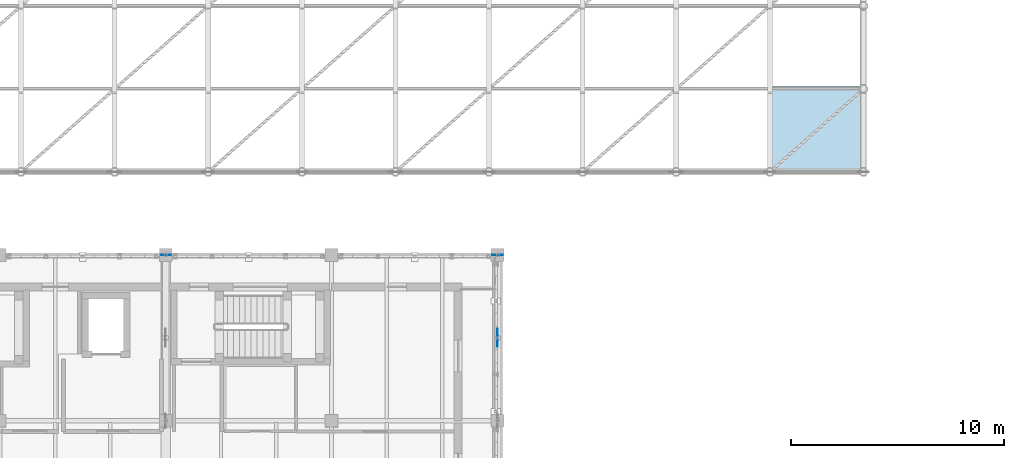
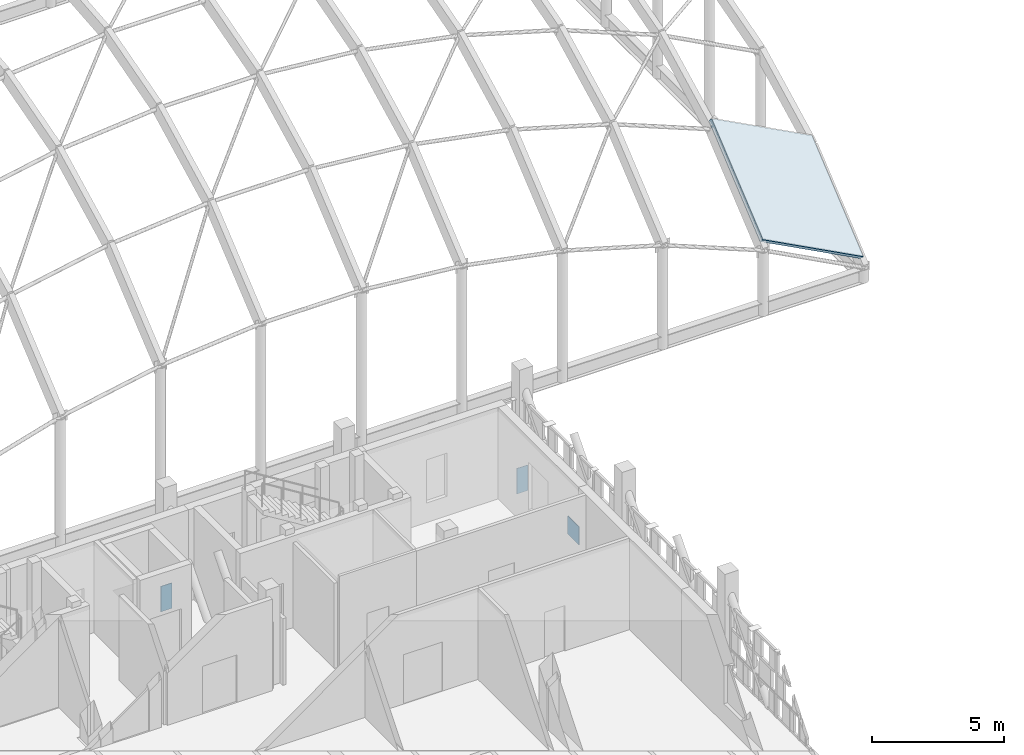
# One storey, part 72 of 119: 3 plates, 1 slab.
"""IFC4 building model written with IfcOpenShell, lengths in metres."""

from ifc_helpers import new_model, si_unit, direction, frame, origin, origin_2d, place, context, subcontext, project, spatial, polyline, rectangle, outline, extrude, material, layer, layer_set, type_object, element, save


model = new_model("IFC4")

# Units and contexts
model_context = context("Model", 3, precision=1e-05, world=origin(), true_north=direction((0.0, 1.0)))
body_context = subcontext(model_context, "Body", "Model", "MODEL_VIEW")
ifc_project = project(units=[si_unit("LENGTHUNIT", "METRE"), si_unit("AREAUNIT", "SQUARE_METRE"), si_unit("VOLUMEUNIT", "CUBIC_METRE"), si_unit("PLANEANGLEUNIT", "RADIAN"), si_unit("MASSUNIT", "GRAM", prefix="KILO")], contexts=[model_context])

# Site, building, storey
site_placement = place(None, origin())
site = spatial("IfcSite", under=ifc_project, at=site_placement, CompositionType="ELEMENT")
building_placement = place(site_placement, origin())
building = spatial("IfcBuilding", under=site, at=building_placement, Name="Celorna Specialist Clinic", CompositionType="ELEMENT")
storey_placement = place(building_placement, frame((0.0, 0.0, 9.60009765625)))
storey = spatial("IfcBuildingStorey", under=building, at=storey_placement, Name="L02", CompositionType="ELEMENT", Elevation=9.60009765625)

# Plates
ifc_material_1 = material(Name="Steel S355", Category="steel")
ifc_layer_1 = layer(ifc_material_1, 0.02490234375, Name="Steel S355")
ifc_layer_set_1 = layer_set([ifc_layer_1], Name="Steel S355")
plate_type_1 = type_object("IfcPlateType", Name="EP-01", PredefinedType="SHEET", material=ifc_layer_set_1)
for number, where, z_axis, x_axis, name in (
    (1, (70.199951171875, 42.89990234375, -1.42529296875), (0.0, 0.0, 1.0), (1.0, 0.0, 0.0), "Truss chord end cap plate EP-01 #28"),
    (2, (85.800048828125, 42.89990234375, -1.42529296875), (0.0, 0.0, 1.0), (1.0, 0.0, 0.0), "Truss chord end cap plate EP-01 #50"),
):
    element("IfcPlate", number, at=place(storey_placement, frame(where, z_axis=z_axis, x_axis=x_axis)), inside=storey, type_object=plate_type_1, Name=name, PredefinedType="SHEET", context=body_context, shape_type="SweptSolid", body=[
        extrude(rectangle(XDim=0.47998046875, YDim=0.02490234375, at=origin_2d()), origin(), (0.0, 0.0, 1.0), 1.179931640625),
    ])
ifc_layer_2 = layer(ifc_material_1, 0.028076171875, Name="Steel S355")
ifc_layer_set_2 = layer_set([ifc_layer_2], Name="Steel S355")
plate_type_2 = type_object("IfcPlateType", Name="GP-01", PredefinedType="USERDEFINED", material=ifc_layer_set_2)
plate_placement = place(storey_placement, frame((85.800048828125, 39.0, -1.26025390625), z_axis=(0.0, 0.0, 1.0), x_axis=(0.0, 1.0, 0.0)))
element("IfcPlate", 3, at=plate_placement, inside=storey, type_object=plate_type_2, Name="Truss node gusset plate TN-064", ObjectType="GUSSET PLATE", PredefinedType="USERDEFINED", context=body_context, shape_type="SweptSolid", body=[
    extrude(rectangle(XDim=0.85009765625, YDim=0.028076171875, at=origin_2d()), origin(), (0.0, 0.0, 1.0), 0.85009765625),
])

# Slab
ifc_material_2 = material(Name="Glulam GL28h insulated roof deck", Category="wood")
ifc_layer_3 = layer(ifc_material_2, 0.179931640625, Name="Glulam GL28h insulated roof deck")
ifc_layer_set_3 = layer_set([ifc_layer_3], Name="Glulam GL28h insulated roof deck")
slab_type = type_object("IfcSlabType", Name="SL-12", PredefinedType="ROOF", material=ifc_layer_set_3)
slab_placement = place(storey_placement, frame((98.60009765625, 46.800048828125, 3.41943359375), z_axis=(0.377044351271, -0.592167971342, 0.712161955521), x_axis=(0.883775414362, -1.0340211e-05, -0.467911334403)))
element("IfcSlab", 4, at=slab_placement, inside=storey, type_object=slab_type, Name="GSH-V1 translational gridshell roof facet 11-1", PredefinedType="ROOF", context=body_context, shape_type="SweptSolid", body=[
    extrude(outline(polyline([(0.0, 0.0), (4.978567009399633, 0.0), (3.4611276955822867, 4.839746463587173), (-1.51732507765172, 4.839618695131234), (0.0, 0.0)])), origin(), (0.0, 0.0, -1.0), 0.179931640625),
])

save(model, "model.ifc")
